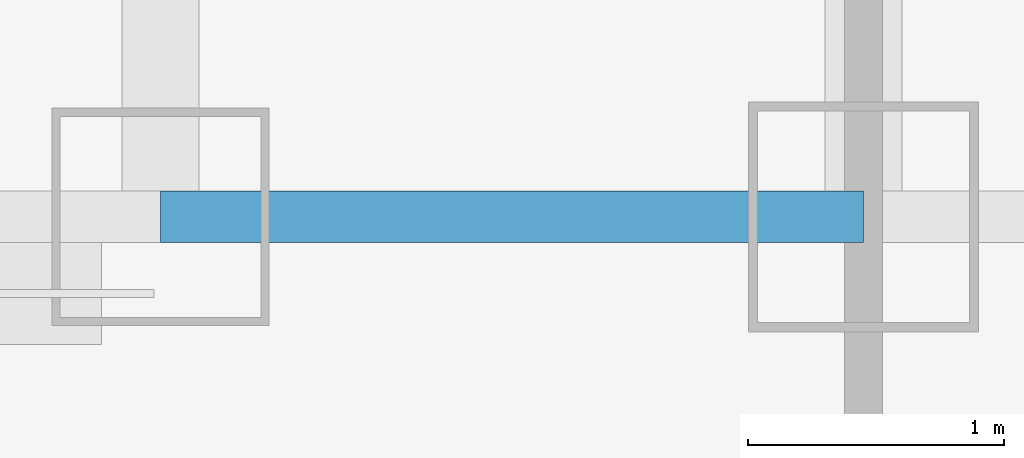
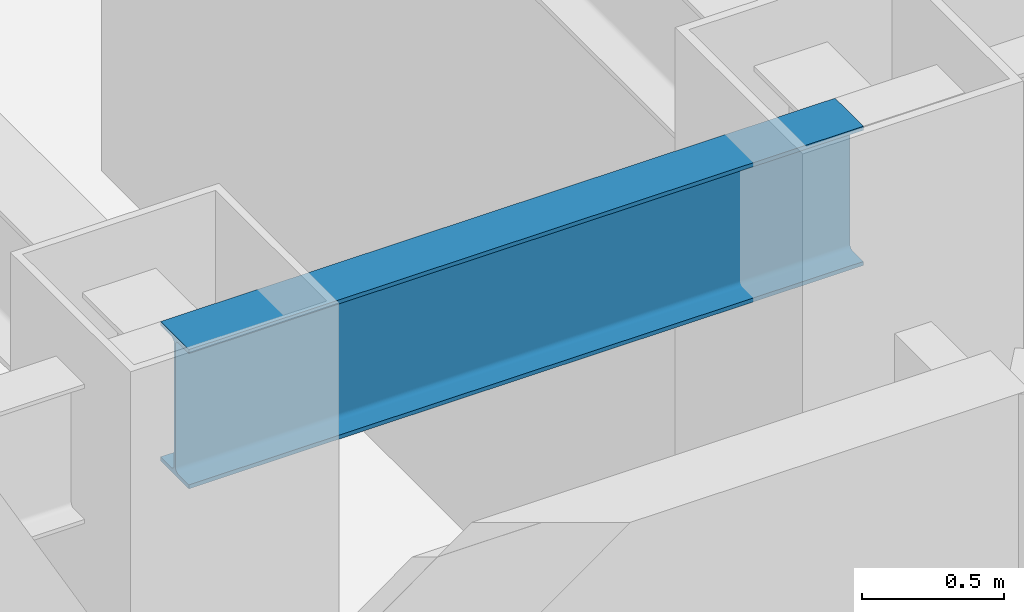
# One storey, part 3 of 31: 1 beam.
"""IFC4 building model written with IfcOpenShell, lengths in metres."""

from ifc_helpers import new_model, si_unit, direction, frame, origin, origin_2d, place, context, subcontext, project, spatial, i_section, extrude, material, material_profile, profile_set, type_object, element, save


model = new_model("IFC4")

# Units and contexts
model_context = context("Model", 3, precision=1e-05, world=origin(), true_north=direction((0.0, 1.0)))
body_context = subcontext(model_context, "Body", "Model", "MODEL_VIEW")
ifc_project = project(units=[si_unit("LENGTHUNIT", "METRE"), si_unit("AREAUNIT", "SQUARE_METRE"), si_unit("VOLUMEUNIT", "CUBIC_METRE"), si_unit("PLANEANGLEUNIT", "RADIAN"), si_unit("MASSUNIT", "GRAM", prefix="KILO")], contexts=[model_context])

# Site, building, storey
site_placement = place(None, origin())
site = spatial("IfcSite", under=ifc_project, at=site_placement, CompositionType="ELEMENT")
building_placement = place(site_placement, origin())
building = spatial("IfcBuilding", under=site, at=building_placement, Name="Hatsunagi Terrace Concourse", CompositionType="ELEMENT")
storey_placement = place(building_placement, frame((0.0, 0.0, 122.85009765625)))
storey = spatial("IfcBuildingStorey", under=building, at=storey_placement, Name="L32", CompositionType="ELEMENT", Elevation=122.85009765625)

# Beam
ifc_material = material(Name="Steel SN490B", Category="steel")
ifc_material_profile = material_profile(ifc_material, i_section(OverallWidth=0.199951171875, OverallDepth=0.60009765625, WebThickness=0.010986328125, FlangeThickness=0.01708984375, FilletRadius=0.01806640625, at=origin_2d()), Name="H-600x200x11x17")
ifc_profile_set = profile_set([ifc_material_profile], Name="Steel SN490B")
beam_type = type_object("IfcBeamType", Name="PerimeterSpandrel_H_600x200", PredefinedType="SPANDREL", material=ifc_profile_set)
beam_placement = place(storey_placement, frame((22.800048828125, 25.199951171875, 3.0498046875), z_axis=(1.0, 0.0, 0.0), x_axis=(0.0, 1.0, 0.0)))
element("IfcBeam", 1, at=beam_placement, inside=storey, type_object=beam_type, Name="Beam SP-01 BM-L32-WS-22", PredefinedType="SPANDREL", context=body_context, shape_type="SweptSolid", body=[
    extrude(i_section(OverallWidth=0.199951171875, OverallDepth=0.60009765625, WebThickness=0.010986328125, FlangeThickness=0.01708984375, FilletRadius=0.01806640625, at=origin_2d()), origin(), (0.0, 0.0, 1.0), 2.75),
])

save(model, "model.ifc")
